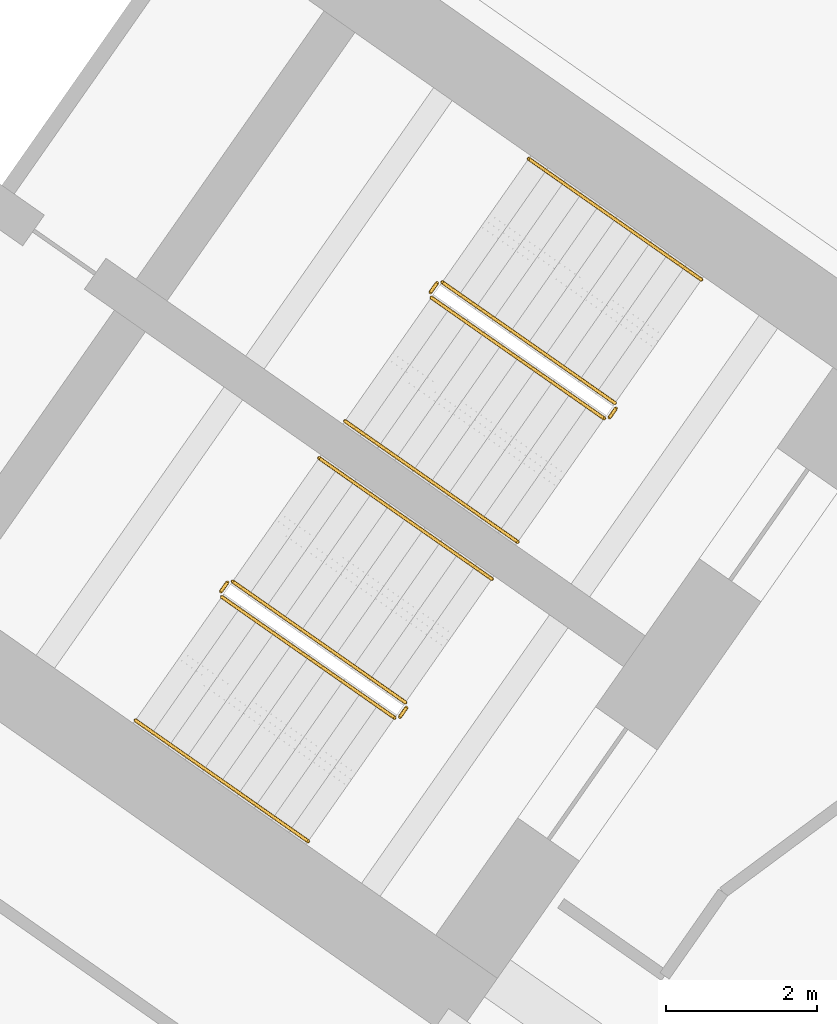
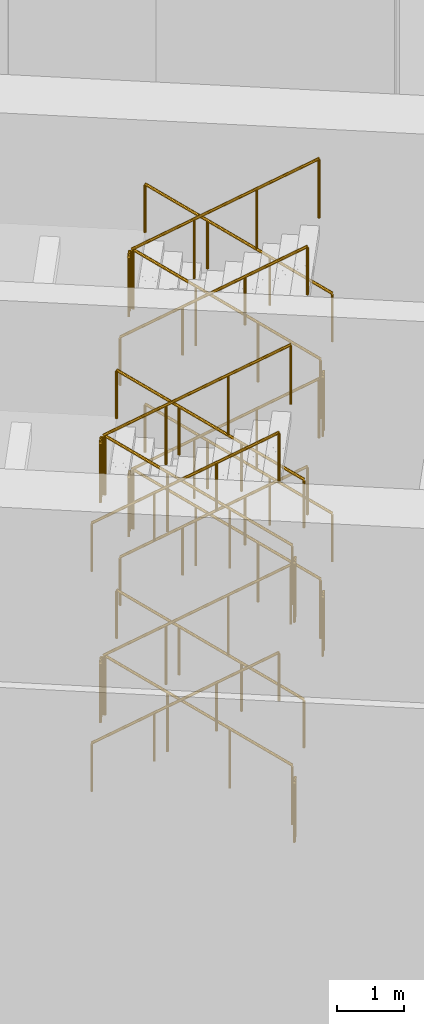
# One storey, part 26 of 27: 24 railings.
"""IFC4 building model written with IfcOpenShell, lengths in metres."""

from ifc_helpers import new_model, si_unit, direction, frame, origin, origin_2d, place, context, subcontext, project, spatial, circle, extrude, material, type_object, element, save


model = new_model("IFC4")

# Units and contexts
model_context = context("Model", 3, precision=1e-05, world=origin(), true_north=direction((0.0, 1.0)))
body_context = subcontext(model_context, "Body", "Model", "MODEL_VIEW")
ifc_project = project(units=[si_unit("LENGTHUNIT", "METRE"), si_unit("AREAUNIT", "SQUARE_METRE"), si_unit("VOLUMEUNIT", "CUBIC_METRE"), si_unit("PLANEANGLEUNIT", "RADIAN"), si_unit("MASSUNIT", "GRAM", prefix="KILO")], contexts=[model_context])

# Site, building, storey
site_placement = place(None, origin())
site = spatial("IfcSite", under=ifc_project, at=site_placement, CompositionType="ELEMENT")
building_placement = place(site_placement, origin())
building = spatial("IfcBuilding", under=site, at=building_placement, Name="Tel Ilan Convention Tower", CompositionType="ELEMENT")
storey_placement = place(building_placement, frame((0.0, 0.0, 18.0)))
storey = spatial("IfcBuildingStorey", under=building, at=storey_placement, Name="L02", CompositionType="ELEMENT", Elevation=18.0)

# Railings
ifc_material_1 = material(Name="Stainless Steel Grade 316", Category="steel")
railing_type_1 = type_object("IfcRailingType", Name="Stainless Steel Stair Guard 1100 mm", PredefinedType="GUARDRAIL", material=ifc_material_1)
railing_1_placement = place(storey_placement, frame((23.6787109375, -7.8515625, 0.181884765625)))
element("IfcRailing", 1, at=railing_1_placement, inside=storey, type_object=railing_type_1, Name="L02 S3 stair guard 1", PredefinedType="GUARDRAIL", context=body_context, shape_type="SweptSolid", body=[
    extrude(circle(Radius=0.02392578125, at=origin_2d()), frame((0.0, 0.0, 1.076171875), z_axis=(-0.687003002444, 0.481062992344, 0.544614792335), x_axis=(-0.573591086599, -0.819141785879, 0.0)), (0.0, 0.0, 1.0), 3.33837890625),
    extrude(circle(Radius=0.02099609375, at=origin_2d()), origin(), (0.0, 0.0, 1.0), 1.052001953125),
    extrude(circle(Radius=0.02099609375, at=origin_2d()), frame((-0.764404296875, 0.535400390625, 0.60595703125)), (0.0, 0.0, 1.0), 1.052001953125),
    extrude(circle(Radius=0.02099609375, at=origin_2d()), frame((-1.529052734375, 1.070556640625, 1.212158203125)), (0.0, 0.0, 1.0), 1.052001953125),
    extrude(circle(Radius=0.02099609375, at=origin_2d()), frame((-2.29345703125, 1.60595703125, 1.818115234375)), (0.0, 0.0, 1.0), 1.052001953125),
])
railing_2_placement = place(storey_placement, frame((21.3154296875, -6.2578125, 2.0)))
element("IfcRailing", 2, at=railing_2_placement, inside=storey, type_object=railing_type_1, Name="L02 S3 stair guard 2", PredefinedType="GUARDRAIL", context=body_context, shape_type="SweptSolid", body=[
    extrude(circle(Radius=0.02392578125, at=origin_2d()), frame((0.0, 0.0, 1.076171875), z_axis=(-0.573353020881, -0.819308436089, 0.0), x_axis=(0.819308436089, -0.573353020881, 0.0)), (0.0, 0.0, 1.0), 0.14990234375),
    extrude(circle(Radius=0.02099609375, at=origin_2d()), origin(), (0.0, 0.0, 1.0), 1.052001953125),
    extrude(circle(Radius=0.02099609375, at=origin_2d()), frame((-0.0859375, -0.122802734375, 0.0)), (0.0, 0.0, 1.0), 1.052001953125),
])
railing_3_placement = place(storey_placement, frame((21.24169921875, -6.4501953125, 2.181884765625)))
element("IfcRailing", 3, at=railing_3_placement, inside=storey, type_object=railing_type_1, Name="L02 S3 stair guard 3", PredefinedType="GUARDRAIL", context=body_context, shape_type="SweptSolid", body=[
    extrude(circle(Radius=0.02392578125, at=origin_2d()), frame((0.0, 0.0, 1.076171875), z_axis=(0.687017446204, -0.481095026991, 0.544568272686), x_axis=(0.573608623498, 0.819129505664, 0.0)), (0.0, 0.0, 1.0), 3.338623046875),
    extrude(circle(Radius=0.02099609375, at=origin_2d()), origin(), (0.0, 0.0, 1.0), 1.052001953125),
    extrude(circle(Radius=0.02099609375, at=origin_2d()), frame((0.7646484375, -0.535400390625, 0.60595703125)), (0.0, 0.0, 1.0), 1.052001953125),
    extrude(circle(Radius=0.02099609375, at=origin_2d()), frame((1.529052734375, -1.07080078125, 1.212158203125)), (0.0, 0.0, 1.0), 1.052001953125),
    extrude(circle(Radius=0.02099609375, at=origin_2d()), frame((2.293701171875, -1.606201171875, 1.818115234375)), (0.0, 0.0, 1.0), 1.052001953125),
])
railing_4_placement = place(storey_placement, frame((23.691162109375, -7.921142578125, 4.0)))
element("IfcRailing", 4, at=railing_4_placement, inside=storey, type_object=railing_type_1, Name="L02 S3 stair guard 4", PredefinedType="GUARDRAIL", context=body_context, shape_type="SweptSolid", body=[
    extrude(circle(Radius=0.02392578125, at=origin_2d()), frame((0.0, 0.0, 1.076171875), z_axis=(-0.574444878118, -0.818543268254, 0.0), x_axis=(0.818543268254, -0.574444878118, 0.0)), (0.0, 0.0, 1.0), 0.150146484375),
    extrude(circle(Radius=0.02099609375, at=origin_2d()), origin(), (0.0, 0.0, 1.0), 1.052001953125),
    extrude(circle(Radius=0.02099609375, at=origin_2d()), frame((-0.086181640625, -0.122802734375, 0.0)), (0.0, 0.0, 1.0), 1.052001953125),
])
railing_5_placement = place(storey_placement, frame((23.6787109375, -7.8515625, 4.181884765625)))
element("IfcRailing", 5, at=railing_5_placement, inside=storey, type_object=railing_type_1, Name="L02 S3 stair guard 5", PredefinedType="GUARDRAIL", context=body_context, shape_type="SweptSolid", body=[
    extrude(circle(Radius=0.02392578125, at=origin_2d()), frame((0.0, 0.0, 1.076171875), z_axis=(-0.687003002444, 0.481062992344, 0.544614792335), x_axis=(-0.573591086599, -0.819141785879, 0.0)), (0.0, 0.0, 1.0), 3.33837890625),
    extrude(circle(Radius=0.02099609375, at=origin_2d()), origin(), (0.0, 0.0, 1.0), 1.052001953125),
    extrude(circle(Radius=0.02099609375, at=origin_2d()), frame((-0.764404296875, 0.535400390625, 0.60595703125)), (0.0, 0.0, 1.0), 1.052001953125),
    extrude(circle(Radius=0.02099609375, at=origin_2d()), frame((-1.529052734375, 1.070556640625, 1.212158203125)), (0.0, 0.0, 1.0), 1.052001953125),
    extrude(circle(Radius=0.02099609375, at=origin_2d()), frame((-2.29345703125, 1.60595703125, 1.818115234375)), (0.0, 0.0, 1.0), 1.052001953125),
])
railing_6_placement = place(storey_placement, frame((21.3154296875, -6.2578125, 6.0)))
element("IfcRailing", 6, at=railing_6_placement, inside=storey, type_object=railing_type_1, Name="L02 S3 stair guard 6", PredefinedType="GUARDRAIL", context=body_context, shape_type="SweptSolid", body=[
    extrude(circle(Radius=0.02392578125, at=origin_2d()), frame((0.0, 0.0, 1.076171875), z_axis=(-0.573353020881, -0.819308436089, 0.0), x_axis=(0.819308436089, -0.573353020881, 0.0)), (0.0, 0.0, 1.0), 0.14990234375),
    extrude(circle(Radius=0.02099609375, at=origin_2d()), origin(), (0.0, 0.0, 1.0), 1.052001953125),
    extrude(circle(Radius=0.02099609375, at=origin_2d()), frame((-0.0859375, -0.122802734375, 0.0)), (0.0, 0.0, 1.0), 1.052001953125),
])
railing_7_placement = place(storey_placement, frame((21.24169921875, -6.4501953125, 6.181884765625)))
element("IfcRailing", 7, at=railing_7_placement, inside=storey, type_object=railing_type_1, Name="L02 S3 stair guard 7", PredefinedType="GUARDRAIL", context=body_context, shape_type="SweptSolid", body=[
    extrude(circle(Radius=0.02392578125, at=origin_2d()), frame((0.0, 0.0, 1.076171875), z_axis=(0.687017446204, -0.481095026991, 0.544568272686), x_axis=(0.573608623498, 0.819129505664, 0.0)), (0.0, 0.0, 1.0), 3.338623046875),
    extrude(circle(Radius=0.02099609375, at=origin_2d()), origin(), (0.0, 0.0, 1.0), 1.052001953125),
    extrude(circle(Radius=0.02099609375, at=origin_2d()), frame((0.7646484375, -0.535400390625, 0.60595703125)), (0.0, 0.0, 1.0), 1.052001953125),
    extrude(circle(Radius=0.02099609375, at=origin_2d()), frame((1.529052734375, -1.07080078125, 1.212158203125)), (0.0, 0.0, 1.0), 1.052001953125),
    extrude(circle(Radius=0.02099609375, at=origin_2d()), frame((2.293701171875, -1.606201171875, 1.818115234375)), (0.0, 0.0, 1.0), 1.052001953125),
])
railing_8_placement = place(storey_placement, frame((23.691162109375, -7.921142578125, 0.0)))
element("IfcRailing", 8, at=railing_8_placement, inside=storey, type_object=railing_type_1, Name="L02 S3 stair guard 8", PredefinedType="GUARDRAIL", context=body_context, shape_type="SweptSolid", body=[
    extrude(circle(Radius=0.02392578125, at=origin_2d()), frame((0.0, 0.0, 1.076171875), z_axis=(-0.574444878118, -0.818543268254, 0.0), x_axis=(0.818543268254, -0.574444878118, 0.0)), (0.0, 0.0, 1.0), 0.150146484375),
    extrude(circle(Radius=0.02099609375, at=origin_2d()), origin(), (0.0, 0.0, 1.0), 1.052001953125),
    extrude(circle(Radius=0.02099609375, at=origin_2d()), frame((-0.086181640625, -0.122802734375, 0.0)), (0.0, 0.0, 1.0), 1.052001953125),
])
railing_9_placement = place(storey_placement, frame((20.89697265625, -11.824462890625, 0.181884765625)))
element("IfcRailing", 9, at=railing_9_placement, inside=storey, type_object=railing_type_1, Name="L02 S4 stair guard 1", PredefinedType="GUARDRAIL", context=body_context, shape_type="SweptSolid", body=[
    extrude(circle(Radius=0.02392578125, at=origin_2d()), frame((0.0, 0.0, 1.076171875), z_axis=(-0.687041615251, 0.481038823323, 0.544587430418), x_axis=(-0.573550118428, -0.819170471667, 0.0)), (0.0, 0.0, 1.0), 3.338623046875),
    extrude(circle(Radius=0.02099609375, at=origin_2d()), origin(), (0.0, 0.0, 1.0), 1.052001953125),
    extrude(circle(Radius=0.02099609375, at=origin_2d()), frame((-0.7646484375, 0.535400390625, 0.60595703125)), (0.0, 0.0, 1.0), 1.052001953125),
    extrude(circle(Radius=0.02099609375, at=origin_2d()), frame((-1.529052734375, 1.070556640625, 1.212158203125)), (0.0, 0.0, 1.0), 1.052001953125),
    extrude(circle(Radius=0.02099609375, at=origin_2d()), frame((-2.293701171875, 1.60595703125, 1.818115234375)), (0.0, 0.0, 1.0), 1.052001953125),
])
railing_10_placement = place(storey_placement, frame((18.53369140625, -10.230712890625, 2.0)))
element("IfcRailing", 10, at=railing_10_placement, inside=storey, type_object=railing_type_1, Name="L02 S4 stair guard 2", PredefinedType="GUARDRAIL", context=body_context, shape_type="SweptSolid", body=[
    extrude(circle(Radius=0.02392578125, at=origin_2d()), frame((0.0, 0.0, 1.076171875), z_axis=(-0.573353020881, -0.819308436089, 0.0), x_axis=(0.819308436089, -0.573353020881, 0.0)), (0.0, 0.0, 1.0), 0.14990234375),
    extrude(circle(Radius=0.02099609375, at=origin_2d()), origin(), (0.0, 0.0, 1.0), 1.052001953125),
    extrude(circle(Radius=0.02099609375, at=origin_2d()), frame((-0.0859375, -0.122802734375, 0.0)), (0.0, 0.0, 1.0), 1.052001953125),
])
railing_11_placement = place(storey_placement, frame((18.4599609375, -10.423095703125, 2.181884765625)))
element("IfcRailing", 11, at=railing_11_placement, inside=storey, type_object=railing_type_1, Name="L02 S4 stair guard 3", PredefinedType="GUARDRAIL", context=body_context, shape_type="SweptSolid", body=[
    extrude(circle(Radius=0.02392578125, at=origin_2d()), frame((0.0, 0.0, 1.076171875), z_axis=(0.687017446204, -0.481095026991, 0.544568272686), x_axis=(0.573608623498, 0.819129505664, 0.0)), (0.0, 0.0, 1.0), 3.338623046875),
    extrude(circle(Radius=0.02099609375, at=origin_2d()), origin(), (0.0, 0.0, 1.0), 1.052001953125),
    extrude(circle(Radius=0.02099609375, at=origin_2d()), frame((0.7646484375, -0.535400390625, 0.60595703125)), (0.0, 0.0, 1.0), 1.052001953125),
    extrude(circle(Radius=0.02099609375, at=origin_2d()), frame((1.529052734375, -1.07080078125, 1.212158203125)), (0.0, 0.0, 1.0), 1.052001953125),
    extrude(circle(Radius=0.02099609375, at=origin_2d()), frame((2.293701171875, -1.606201171875, 1.818115234375)), (0.0, 0.0, 1.0), 1.052001953125),
])
railing_12_placement = place(storey_placement, frame((20.9091796875, -11.89404296875, 4.0)))
element("IfcRailing", 12, at=railing_12_placement, inside=storey, type_object=railing_type_1, Name="L02 S4 stair guard 4", PredefinedType="GUARDRAIL", context=body_context, shape_type="SweptSolid", body=[
    extrude(circle(Radius=0.02392578125, at=origin_2d()), frame((0.0, 0.0, 1.076171875), z_axis=(-0.573353020881, -0.819308436089, 0.0), x_axis=(0.819308436089, -0.573353020881, 0.0)), (0.0, 0.0, 1.0), 0.14990234375),
    extrude(circle(Radius=0.02099609375, at=origin_2d()), origin(), (0.0, 0.0, 1.0), 1.052001953125),
    extrude(circle(Radius=0.02099609375, at=origin_2d()), frame((-0.0859375, -0.122802734375, 0.0)), (0.0, 0.0, 1.0), 1.052001953125),
])
railing_13_placement = place(storey_placement, frame((20.89697265625, -11.824462890625, 4.181884765625)))
element("IfcRailing", 13, at=railing_13_placement, inside=storey, type_object=railing_type_1, Name="L02 S4 stair guard 5", PredefinedType="GUARDRAIL", context=body_context, shape_type="SweptSolid", body=[
    extrude(circle(Radius=0.02392578125, at=origin_2d()), frame((0.0, 0.0, 1.076171875), z_axis=(-0.687041615251, 0.481038823323, 0.544587430418), x_axis=(-0.573550118428, -0.819170471667, 0.0)), (0.0, 0.0, 1.0), 3.338623046875),
    extrude(circle(Radius=0.02099609375, at=origin_2d()), origin(), (0.0, 0.0, 1.0), 1.052001953125),
    extrude(circle(Radius=0.02099609375, at=origin_2d()), frame((-0.7646484375, 0.535400390625, 0.60595703125)), (0.0, 0.0, 1.0), 1.052001953125),
    extrude(circle(Radius=0.02099609375, at=origin_2d()), frame((-1.529052734375, 1.070556640625, 1.212158203125)), (0.0, 0.0, 1.0), 1.052001953125),
    extrude(circle(Radius=0.02099609375, at=origin_2d()), frame((-2.293701171875, 1.60595703125, 1.818115234375)), (0.0, 0.0, 1.0), 1.052001953125),
])
railing_14_placement = place(storey_placement, frame((18.53369140625, -10.230712890625, 6.0)))
element("IfcRailing", 14, at=railing_14_placement, inside=storey, type_object=railing_type_1, Name="L02 S4 stair guard 6", PredefinedType="GUARDRAIL", context=body_context, shape_type="SweptSolid", body=[
    extrude(circle(Radius=0.02392578125, at=origin_2d()), frame((0.0, 0.0, 1.076171875), z_axis=(-0.573353020881, -0.819308436089, 0.0), x_axis=(0.819308436089, -0.573353020881, 0.0)), (0.0, 0.0, 1.0), 0.14990234375),
    extrude(circle(Radius=0.02099609375, at=origin_2d()), origin(), (0.0, 0.0, 1.0), 1.052001953125),
    extrude(circle(Radius=0.02099609375, at=origin_2d()), frame((-0.0859375, -0.122802734375, 0.0)), (0.0, 0.0, 1.0), 1.052001953125),
])
railing_15_placement = place(storey_placement, frame((18.4599609375, -10.423095703125, 6.181884765625)))
element("IfcRailing", 15, at=railing_15_placement, inside=storey, type_object=railing_type_1, Name="L02 S4 stair guard 7", PredefinedType="GUARDRAIL", context=body_context, shape_type="SweptSolid", body=[
    extrude(circle(Radius=0.02392578125, at=origin_2d()), frame((0.0, 0.0, 1.076171875), z_axis=(0.687017446204, -0.481095026991, 0.544568272686), x_axis=(0.573608623498, 0.819129505664, 0.0)), (0.0, 0.0, 1.0), 3.338623046875),
    extrude(circle(Radius=0.02099609375, at=origin_2d()), origin(), (0.0, 0.0, 1.0), 1.052001953125),
    extrude(circle(Radius=0.02099609375, at=origin_2d()), frame((0.7646484375, -0.535400390625, 0.60595703125)), (0.0, 0.0, 1.0), 1.052001953125),
    extrude(circle(Radius=0.02099609375, at=origin_2d()), frame((1.529052734375, -1.07080078125, 1.212158203125)), (0.0, 0.0, 1.0), 1.052001953125),
    extrude(circle(Radius=0.02099609375, at=origin_2d()), frame((2.293701171875, -1.606201171875, 1.818115234375)), (0.0, 0.0, 1.0), 1.052001953125),
])
railing_16_placement = place(storey_placement, frame((20.9091796875, -11.89404296875, 0.0)))
element("IfcRailing", 16, at=railing_16_placement, inside=storey, type_object=railing_type_1, Name="L02 S4 stair guard 8", PredefinedType="GUARDRAIL", context=body_context, shape_type="SweptSolid", body=[
    extrude(circle(Radius=0.02392578125, at=origin_2d()), frame((0.0, 0.0, 1.076171875), z_axis=(-0.573353020881, -0.819308436089, 0.0), x_axis=(0.819308436089, -0.573353020881, 0.0)), (0.0, 0.0, 1.0), 0.14990234375),
    extrude(circle(Radius=0.02099609375, at=origin_2d()), origin(), (0.0, 0.0, 1.0), 1.052001953125),
    extrude(circle(Radius=0.02099609375, at=origin_2d()), frame((-0.0859375, -0.122802734375, 0.0)), (0.0, 0.0, 1.0), 1.052001953125),
])
ifc_material_2 = material(Name="Stainless Steel Grade 316", Category="steel")
railing_type_2 = type_object("IfcRailingType", Name="Stainless Steel Stair Handrail 900 mm", PredefinedType="HANDRAIL", material=ifc_material_2)
railing_17_placement = place(storey_placement, frame((24.825927734375, -6.213134765625, 0.181884765625)))
element("IfcRailing", 17, at=railing_17_placement, inside=storey, type_object=railing_type_2, Name="L02 S3 stair handrail 1", PredefinedType="HANDRAIL", context=body_context, shape_type="SweptSolid", body=[
    extrude(circle(Radius=0.02392578125, at=origin_2d()), frame((0.0, 0.0, 0.8759765625), z_axis=(-0.687041615251, 0.481038823323, 0.544587430418), x_axis=(-0.573550118428, -0.819170471667, 0.0)), (0.0, 0.0, 1.0), 3.338623046875),
    extrude(circle(Radius=0.02099609375, at=origin_2d()), origin(), (0.0, 0.0, 1.0), 0.851806640625),
    extrude(circle(Radius=0.02099609375, at=origin_2d()), frame((-0.7646484375, 0.535400390625, 0.60595703125)), (0.0, 0.0, 1.0), 0.851806640625),
    extrude(circle(Radius=0.02099609375, at=origin_2d()), frame((-1.529052734375, 1.070556640625, 1.212158203125)), (0.0, 0.0, 1.0), 0.851806640625),
    extrude(circle(Radius=0.02099609375, at=origin_2d()), frame((-2.293701171875, 1.60595703125, 1.818115234375)), (0.0, 0.0, 1.0), 0.851806640625),
])
railing_18_placement = place(storey_placement, frame((20.0947265625, -8.088623046875, 2.181884765625)))
element("IfcRailing", 18, at=railing_18_placement, inside=storey, type_object=railing_type_2, Name="L02 S3 stair handrail 2", PredefinedType="HANDRAIL", context=body_context, shape_type="SweptSolid", body=[
    extrude(circle(Radius=0.02392578125, at=origin_2d()), frame((0.0, 0.0, 0.8759765625), z_axis=(0.687003002444, -0.481062992344, 0.544614792335), x_axis=(0.573591086599, 0.819141785879, 0.0)), (0.0, 0.0, 1.0), 3.33837890625),
    extrude(circle(Radius=0.02099609375, at=origin_2d()), origin(), (0.0, 0.0, 1.0), 0.851806640625),
    extrude(circle(Radius=0.02099609375, at=origin_2d()), frame((0.764404296875, -0.535400390625, 0.60595703125)), (0.0, 0.0, 1.0), 0.851806640625),
    extrude(circle(Radius=0.02099609375, at=origin_2d()), frame((1.529052734375, -1.070556640625, 1.212158203125)), (0.0, 0.0, 1.0), 0.851806640625),
    extrude(circle(Radius=0.02099609375, at=origin_2d()), frame((2.29345703125, -1.60595703125, 1.818115234375)), (0.0, 0.0, 1.0), 0.851806640625),
])
railing_19_placement = place(storey_placement, frame((24.825927734375, -6.213134765625, 4.181884765625)))
element("IfcRailing", 19, at=railing_19_placement, inside=storey, type_object=railing_type_2, Name="L02 S3 stair handrail 3", PredefinedType="HANDRAIL", context=body_context, shape_type="SweptSolid", body=[
    extrude(circle(Radius=0.02392578125, at=origin_2d()), frame((0.0, 0.0, 0.8759765625), z_axis=(-0.687041615251, 0.481038823323, 0.544587430418), x_axis=(-0.573550118428, -0.819170471667, 0.0)), (0.0, 0.0, 1.0), 3.338623046875),
    extrude(circle(Radius=0.02099609375, at=origin_2d()), origin(), (0.0, 0.0, 1.0), 0.851806640625),
    extrude(circle(Radius=0.02099609375, at=origin_2d()), frame((-0.7646484375, 0.535400390625, 0.60595703125)), (0.0, 0.0, 1.0), 0.851806640625),
    extrude(circle(Radius=0.02099609375, at=origin_2d()), frame((-1.529052734375, 1.070556640625, 1.212158203125)), (0.0, 0.0, 1.0), 0.851806640625),
    extrude(circle(Radius=0.02099609375, at=origin_2d()), frame((-2.293701171875, 1.60595703125, 1.818115234375)), (0.0, 0.0, 1.0), 0.851806640625),
])
railing_20_placement = place(storey_placement, frame((20.0947265625, -8.088623046875, 6.181884765625)))
element("IfcRailing", 20, at=railing_20_placement, inside=storey, type_object=railing_type_2, Name="L02 S3 stair handrail 4", PredefinedType="HANDRAIL", context=body_context, shape_type="SweptSolid", body=[
    extrude(circle(Radius=0.02392578125, at=origin_2d()), frame((0.0, 0.0, 0.8759765625), z_axis=(0.687003002444, -0.481062992344, 0.544614792335), x_axis=(0.573591086599, 0.819141785879, 0.0)), (0.0, 0.0, 1.0), 3.33837890625),
    extrude(circle(Radius=0.02099609375, at=origin_2d()), origin(), (0.0, 0.0, 1.0), 0.851806640625),
    extrude(circle(Radius=0.02099609375, at=origin_2d()), frame((0.764404296875, -0.535400390625, 0.60595703125)), (0.0, 0.0, 1.0), 0.851806640625),
    extrude(circle(Radius=0.02099609375, at=origin_2d()), frame((1.529052734375, -1.070556640625, 1.212158203125)), (0.0, 0.0, 1.0), 0.851806640625),
    extrude(circle(Radius=0.02099609375, at=origin_2d()), frame((2.29345703125, -1.60595703125, 1.818115234375)), (0.0, 0.0, 1.0), 0.851806640625),
])
railing_21_placement = place(storey_placement, frame((22.044189453125, -10.18603515625, 0.181884765625)))
element("IfcRailing", 21, at=railing_21_placement, inside=storey, type_object=railing_type_2, Name="L02 S4 stair handrail 1", PredefinedType="HANDRAIL", context=body_context, shape_type="SweptSolid", body=[
    extrude(circle(Radius=0.02392578125, at=origin_2d()), frame((0.0, 0.0, 0.8759765625), z_axis=(-0.687041615251, 0.481038823323, 0.544587430418), x_axis=(-0.573550118428, -0.819170471667, 0.0)), (0.0, 0.0, 1.0), 3.338623046875),
    extrude(circle(Radius=0.02099609375, at=origin_2d()), origin(), (0.0, 0.0, 1.0), 0.851806640625),
    extrude(circle(Radius=0.02099609375, at=origin_2d()), frame((-0.7646484375, 0.535400390625, 0.60595703125)), (0.0, 0.0, 1.0), 0.851806640625),
    extrude(circle(Radius=0.02099609375, at=origin_2d()), frame((-1.529052734375, 1.070556640625, 1.212158203125)), (0.0, 0.0, 1.0), 0.851806640625),
    extrude(circle(Radius=0.02099609375, at=origin_2d()), frame((-2.293701171875, 1.60595703125, 1.818115234375)), (0.0, 0.0, 1.0), 0.851806640625),
])
railing_22_placement = place(storey_placement, frame((17.312744140625, -12.0615234375, 2.181884765625)))
element("IfcRailing", 22, at=railing_22_placement, inside=storey, type_object=railing_type_2, Name="L02 S4 stair handrail 2", PredefinedType="HANDRAIL", context=body_context, shape_type="SweptSolid", body=[
    extrude(circle(Radius=0.02392578125, at=origin_2d()), frame((0.0, 0.0, 0.8759765625), z_axis=(0.687041615251, -0.481038823323, 0.544587430418), x_axis=(0.573550118428, 0.819170471667, 0.0)), (0.0, 0.0, 1.0), 3.338623046875),
    extrude(circle(Radius=0.02099609375, at=origin_2d()), origin(), (0.0, 0.0, 1.0), 0.851806640625),
    extrude(circle(Radius=0.02099609375, at=origin_2d()), frame((0.7646484375, -0.535400390625, 0.60595703125)), (0.0, 0.0, 1.0), 0.851806640625),
    extrude(circle(Radius=0.02099609375, at=origin_2d()), frame((1.529052734375, -1.070556640625, 1.212158203125)), (0.0, 0.0, 1.0), 0.851806640625),
    extrude(circle(Radius=0.02099609375, at=origin_2d()), frame((2.293701171875, -1.60595703125, 1.818115234375)), (0.0, 0.0, 1.0), 0.851806640625),
])
railing_23_placement = place(storey_placement, frame((22.044189453125, -10.18603515625, 4.181884765625)))
element("IfcRailing", 23, at=railing_23_placement, inside=storey, type_object=railing_type_2, Name="L02 S4 stair handrail 3", PredefinedType="HANDRAIL", context=body_context, shape_type="SweptSolid", body=[
    extrude(circle(Radius=0.02392578125, at=origin_2d()), frame((0.0, 0.0, 0.8759765625), z_axis=(-0.687041615251, 0.481038823323, 0.544587430418), x_axis=(-0.573550118428, -0.819170471667, 0.0)), (0.0, 0.0, 1.0), 3.338623046875),
    extrude(circle(Radius=0.02099609375, at=origin_2d()), origin(), (0.0, 0.0, 1.0), 0.851806640625),
    extrude(circle(Radius=0.02099609375, at=origin_2d()), frame((-0.7646484375, 0.535400390625, 0.60595703125)), (0.0, 0.0, 1.0), 0.851806640625),
    extrude(circle(Radius=0.02099609375, at=origin_2d()), frame((-1.529052734375, 1.070556640625, 1.212158203125)), (0.0, 0.0, 1.0), 0.851806640625),
    extrude(circle(Radius=0.02099609375, at=origin_2d()), frame((-2.293701171875, 1.60595703125, 1.818115234375)), (0.0, 0.0, 1.0), 0.851806640625),
])
railing_24_placement = place(storey_placement, frame((17.312744140625, -12.0615234375, 6.181884765625)))
element("IfcRailing", 24, at=railing_24_placement, inside=storey, type_object=railing_type_2, Name="L02 S4 stair handrail 4", PredefinedType="HANDRAIL", context=body_context, shape_type="SweptSolid", body=[
    extrude(circle(Radius=0.02392578125, at=origin_2d()), frame((0.0, 0.0, 0.8759765625), z_axis=(0.687041615251, -0.481038823323, 0.544587430418), x_axis=(0.573550118428, 0.819170471667, 0.0)), (0.0, 0.0, 1.0), 3.338623046875),
    extrude(circle(Radius=0.02099609375, at=origin_2d()), origin(), (0.0, 0.0, 1.0), 0.851806640625),
    extrude(circle(Radius=0.02099609375, at=origin_2d()), frame((0.7646484375, -0.535400390625, 0.60595703125)), (0.0, 0.0, 1.0), 0.851806640625),
    extrude(circle(Radius=0.02099609375, at=origin_2d()), frame((1.529052734375, -1.070556640625, 1.212158203125)), (0.0, 0.0, 1.0), 0.851806640625),
    extrude(circle(Radius=0.02099609375, at=origin_2d()), frame((2.293701171875, -1.60595703125, 1.818115234375)), (0.0, 0.0, 1.0), 0.851806640625),
])

save(model, "model.ifc")
